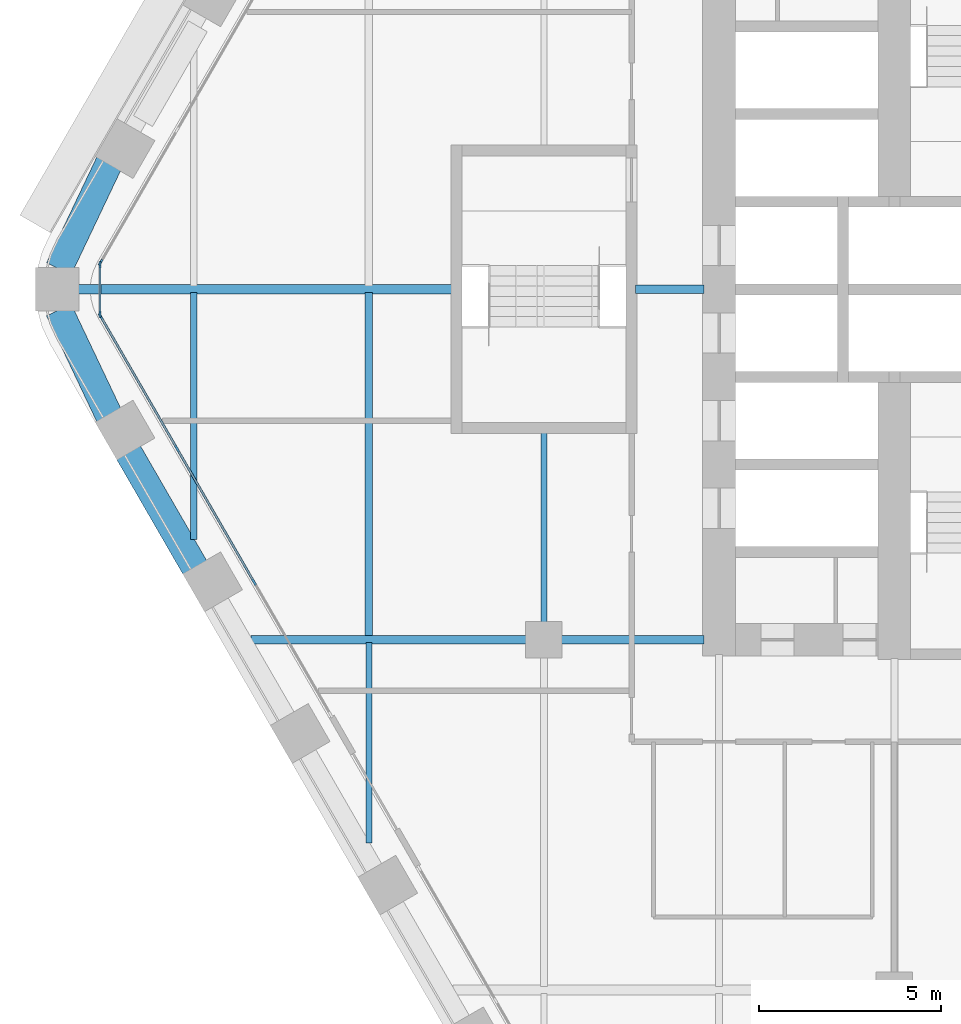
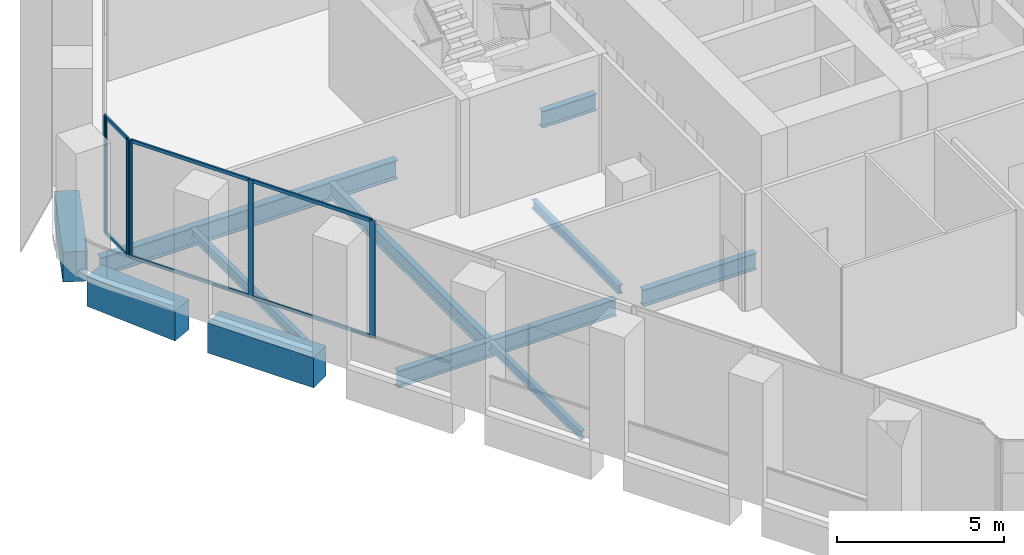
# One storey, part 3 of 22: 12 members, 11 beams, 3 elements without a shape of their own.
"""IFC4 building model written with IfcOpenShell, lengths in metres."""

from ifc_helpers import new_model, si_unit, direction, frame, origin, origin_2d, place, context, subcontext, project, spatial, rectangle, i_section, extrude, material, material_profile, profile_set, type_object, element, aggregate, save


model = new_model("IFC4")

# Units and contexts
model_context = context("Model", 3, precision=1e-05, world=origin(), true_north=direction((0.0, 1.0)))
body_context = subcontext(model_context, "Body", "Model", "MODEL_VIEW")
ifc_project = project(units=[si_unit("LENGTHUNIT", "METRE"), si_unit("AREAUNIT", "SQUARE_METRE"), si_unit("VOLUMEUNIT", "CUBIC_METRE"), si_unit("PLANEANGLEUNIT", "RADIAN"), si_unit("MASSUNIT", "GRAM", prefix="KILO")], contexts=[model_context])

# Site, building, storey
site_placement = place(None, origin())
site = spatial("IfcSite", under=ifc_project, at=site_placement, CompositionType="ELEMENT")
building_placement = place(site_placement, origin())
building = spatial("IfcBuilding", under=site, at=building_placement, Name="Kolab Exchange Tower", CompositionType="ELEMENT")
storey_placement = place(building_placement, frame((0.0, 0.0, 113.89990234375)))
storey = spatial("IfcBuildingStorey", under=building, at=storey_placement, Name="L22", CompositionType="ELEMENT", Elevation=113.89990234375)

# Beams
ifc_material_1 = material(Name="Steel S355", Category="steel")
ifc_material_profile_1 = material_profile(ifc_material_1, i_section(OverallWidth=0.1650390625, OverallDepth=0.31005859375, WebThickness=0.005859375, FlangeThickness=0.009765625, at=origin_2d()), Name="W310X39")
ifc_profile_set_1 = profile_set([ifc_material_profile_1], Name="Steel S355")
beam_type_1 = type_object("IfcBeamType", Name="FLOOR BEAM W310X39", PredefinedType="BEAM", material=ifc_profile_set_1)
beam_1_placement = place(storey_placement, frame((-24.0, -15.167724609375, -0.35498046875), z_axis=(0.0, 1.0, 0.0), x_axis=(-1.0, 0.0, 0.0)))
element("IfcBeam", 1, at=beam_1_placement, inside=storey, type_object=beam_type_1, Name="beam/L22/fr/002", PredefinedType="BEAM", context=body_context, shape_type="SweptSolid", body=[
    extrude(i_section(OverallWidth=0.1650390625, OverallDepth=0.31005859375, WebThickness=0.005859375, FlangeThickness=0.009765625, at=origin_2d()), origin(), (0.0, 0.0, 1.0), 5.49365234375),
])
beam_2_placement = place(storey_placement, frame((-19.199951171875, -9.139892578125, -0.35498046875), z_axis=(0.0, 1.0, 0.0), x_axis=(-1.0, 0.0, 0.0)))
element("IfcBeam", 2, at=beam_2_placement, inside=storey, type_object=beam_type_1, Name="beam/L22/fr/008", PredefinedType="BEAM", context=body_context, shape_type="SweptSolid", body=[
    extrude(i_section(OverallWidth=0.1650390625, OverallDepth=0.31005859375, WebThickness=0.005859375, FlangeThickness=0.009765625, at=origin_2d()), origin(), (0.0, 0.0, 1.0), 5.22998046875),
])
ifc_material_profile_2 = material_profile(ifc_material_1, i_section(OverallWidth=0.1708984375, OverallDepth=0.35498046875, WebThickness=0.007080078125, FlangeThickness=0.01171875, at=origin_2d()), Name="W360X51")
ifc_profile_set_2 = profile_set([ifc_material_profile_2], Name="Steel S355")
beam_type_2 = type_object("IfcBeamType", Name="FLOOR BEAM W360X51", PredefinedType="BEAM", material=ifc_profile_set_2)
beam_3_placement = place(storey_placement, frame((-28.800048828125, -6.853759765625, -0.37744140625), z_axis=(0.0, 1.0, 0.0), x_axis=(-1.0, 0.0, 0.0)))
element("IfcBeam", 3, at=beam_3_placement, inside=storey, type_object=beam_type_2, Name="beam/L22/fr/000", PredefinedType="BEAM", context=body_context, shape_type="SweptSolid", body=[
    extrude(i_section(OverallWidth=0.1708984375, OverallDepth=0.35498046875, WebThickness=0.007080078125, FlangeThickness=0.01171875, at=origin_2d()), origin(), (0.0, 0.0, 1.0), 6.766845703125),
])
ifc_material_profile_3 = material_profile(ifc_material_1, i_section(OverallWidth=0.208984375, OverallDepth=0.532958984375, WebThickness=0.01025390625, FlangeThickness=0.015625, at=origin_2d()), Name="W530X92")
ifc_profile_set_3 = profile_set([ifc_material_profile_3], Name="Steel S355")
beam_type_3 = type_object("IfcBeamType", Name="FLOOR BEAM W530X92", PredefinedType="BEAM", material=ifc_profile_set_3)
beam_4_placement = place(storey_placement, frame((-24.0, -9.52587890625, -0.46630859375), z_axis=(0.0, 1.0, 0.0), x_axis=(-1.0, 0.0, 0.0)))
element("IfcBeam", 4, at=beam_4_placement, inside=storey, type_object=beam_type_3, Name="beam/L22/fr/003", PredefinedType="BEAM", context=body_context, shape_type="SweptSolid", body=[
    extrude(i_section(OverallWidth=0.208984375, OverallDepth=0.532958984375, WebThickness=0.01025390625, FlangeThickness=0.015625, at=origin_2d()), origin(), (0.0, 0.0, 1.0), 9.43896484375),
])
ifc_material_profile_4 = material_profile(ifc_material_1, i_section(OverallWidth=0.22802734375, OverallDepth=0.60791015625, WebThickness=0.01123046875, FlangeThickness=0.017333984375, at=origin_2d()), Name="W610X113")
ifc_profile_set_4 = profile_set([ifc_material_profile_4], Name="Steel S355")
beam_type_4 = type_object("IfcBeamType", Name="FLOOR GIRDER W610X113", PredefinedType="BEAM", material=ifc_profile_set_4)
beam_5_placement = place(storey_placement, frame((-27.2314453125, -9.60009765625, -0.50390625), z_axis=(1.0, 0.0, 0.0), x_axis=(0.0, 1.0, 0.0)))
element("IfcBeam", 5, at=beam_5_placement, inside=storey, type_object=beam_type_4, Name="beam/L22/gd/001", PredefinedType="BEAM", context=body_context, shape_type="SweptSolid", body=[
    extrude(i_section(OverallWidth=0.22802734375, OverallDepth=0.60791015625, WebThickness=0.01123046875, FlangeThickness=0.017333984375, at=origin_2d()), origin(), (0.0, 0.0, 1.0), 7.571533203125),
])
beam_6_placement = place(storey_placement, frame((-18.739990234375, -9.60009765625, -0.50390625), z_axis=(1.0, 0.0, 0.0), x_axis=(0.0, 1.0, 0.0)))
element("IfcBeam", 6, at=beam_6_placement, inside=storey, type_object=beam_type_4, Name="beam/L22/gd/005", PredefinedType="BEAM", context=body_context, shape_type="SweptSolid", body=[
    extrude(i_section(OverallWidth=0.22802734375, OverallDepth=0.60791015625, WebThickness=0.01123046875, FlangeThickness=0.017333984375, at=origin_2d()), origin(), (0.0, 0.0, 1.0), 3.929931640625),
])
beam_7_placement = place(storey_placement, frame((-16.68994140625, 0.0, -0.50390625), z_axis=(1.0, 0.0, 0.0), x_axis=(0.0, 1.0, 0.0)))
element("IfcBeam", 7, at=beam_7_placement, inside=storey, type_object=beam_type_4, Name="beam/L22/gd/007", PredefinedType="BEAM", context=body_context, shape_type="SweptSolid", body=[
    extrude(i_section(OverallWidth=0.22802734375, OverallDepth=0.60791015625, WebThickness=0.01123046875, FlangeThickness=0.017333984375, at=origin_2d()), origin(), (0.0, 0.0, 1.0), 1.8798828125),
])
ifc_material_profile_5 = material_profile(ifc_material_1, i_section(OverallWidth=0.25390625, OverallDepth=0.68408203125, WebThickness=0.012451171875, FlangeThickness=0.018798828125, at=origin_2d()), Name="W690X140")
ifc_profile_set_5 = profile_set([ifc_material_profile_5], Name="Steel S355")
beam_type_5 = type_object("IfcBeamType", Name="FLOOR GIRDER W690X140", PredefinedType="BEAM", material=ifc_profile_set_5)
beam_8_placement = place(storey_placement, frame((-31.975830078125, 0.0, -0.5419921875), z_axis=(1.0, 0.0, 0.0), x_axis=(0.0, 1.0, 0.0)))
element("IfcBeam", 8, at=beam_8_placement, inside=storey, type_object=beam_type_5, Name="beam/L22/gd/000", PredefinedType="BEAM", context=body_context, shape_type="SweptSolid", body=[
    extrude(i_section(OverallWidth=0.25390625, OverallDepth=0.68408203125, WebThickness=0.012451171875, FlangeThickness=0.018798828125, at=origin_2d()), origin(), (0.0, 0.0, 1.0), 10.265869140625),
])
ifc_material_2 = material(Name="Concrete C70/85", Category="concrete")
ifc_material_profile_6 = material_profile(ifc_material_2, rectangle(XDim=0.75, YDim=1.10009765625, at=origin_2d()), Name="RC750X1100")
ifc_profile_set_6 = profile_set([ifc_material_profile_6], Name="Concrete C70/85")
beam_type_6 = type_object("IfcBeamType", Name="SPANDREL BEAM 750X1100 C70/85", PredefinedType="BEAM", material=ifc_profile_set_6)
beam_9_placement = place(storey_placement, frame((-28.755126953125, -7.641357421875, -0.75), z_axis=(-0.500013413428, 0.866017659399, 0.0), x_axis=(-0.866017659399, -0.500013413428, 0.0)))
element("IfcBeam", 9, at=beam_9_placement, inside=storey, type_object=beam_type_6, Name="beam/L22/sp/F5-06", PredefinedType="BEAM", context=body_context, shape_type="SweptSolid", body=[
    extrude(rectangle(XDim=0.75, YDim=1.10009765625, at=origin_2d()), origin(), (0.0, 0.0, 1.0), 3.68017578125),
])
for number, where, z_axis, x_axis, name in (
    (10, (-31.116455078125, -3.4619140625, -0.75), (-0.429041292193, 0.903284877319, 0.0), (-0.903284877319, -0.429041292193, 0.0), "beam/L22/sp/F5-07"),
    (11, (-32.492919921875, 0.56396484375, -0.75), (0.429041292193, 0.903284877319, 0.0), (-0.903284877319, 0.429041292193, 0.0), "beam/L22/sp/F6-01"),
):
    element("IfcBeam", number, at=place(storey_placement, frame(where, z_axis=z_axis, x_axis=x_axis)), inside=storey, type_object=beam_type_6, Name=name, PredefinedType="BEAM", context=body_context, shape_type="SweptSolid", body=[
        extrude(rectangle(XDim=0.75, YDim=1.10009765625, at=origin_2d()), origin(), (0.0, 0.0, 1.0), 3.208251953125),
    ])

# Curtain wall, members
ifc_material_3 = material(Name="Aluminium EN AW-6063 T6", Category="aluminium")
curtain_wall_type = type_object("IfcCurtainWallType", Name="UNITISED LOWER MID ZONE CURTAIN WALL", PredefinedType="NOTDEFINED", material=ifc_material_3)
curtain_wall_1_placement = place(storey_placement, origin())
curtain_wall_1 = element("IfcCurtainWall", 12, at=curtain_wall_1_placement, inside=storey, type_object=curtain_wall_type, Name="cw/L22/F5-2", PredefinedType="NOTDEFINED")
ifc_material_profile_7 = material_profile(ifc_material_3, rectangle(XDim=0.06005859375, YDim=0.179931640625, at=origin_2d()), Name="RECT 60X180")
ifc_profile_set_7 = profile_set([ifc_material_profile_7], Name="Aluminium EN AW-6063 T6")
member_type_1 = type_object("IfcMemberType", Name="UNITISED LOWER MID ZONE MULLION 60 X 180", PredefinedType="MULLION", material=ifc_profile_set_7)
member_1_placement = place(storey_placement, frame((-27.14306640625, -8.02392578125, 0.0), z_axis=(0.0, 0.0, 1.0), x_axis=(-0.866025427826, -0.499999958358, 0.0)))
member_1 = element("IfcMember", 13, at=member_1_placement, type_object=member_type_1, Name="CW2 mullion 2", PredefinedType="MULLION", context=body_context, shape_type="SweptSolid", body=[
    extrude(rectangle(XDim=0.06005859375, YDim=0.179931640625, at=origin_2d()), origin(), (0.0, 0.0, 1.0), 4.300048828125),
])
member_2_placement = place(storey_placement, frame((-29.25439453125, -4.366943359375, 0.0), z_axis=(0.0, 0.0, 1.0), x_axis=(-0.866025427826, -0.499999958358, 0.0)))
member_2 = element("IfcMember", 14, at=member_2_placement, type_object=member_type_1, Name="CW2 mullion 3", PredefinedType="MULLION", context=body_context, shape_type="SweptSolid", body=[
    extrude(rectangle(XDim=0.06005859375, YDim=0.179931640625, at=origin_2d()), origin(), (0.0, 0.0, 1.0), 4.300048828125),
])
member_3_placement = place(storey_placement, frame((-31.3505859375, -0.736083984375, 0.0), z_axis=(0.0, 0.0, 1.0), x_axis=(-0.866025427826, -0.499999958358, 0.0)))
member_3 = element("IfcMember", 15, at=member_3_placement, type_object=member_type_1, Name="CW2 mullion 4", PredefinedType="MULLION", context=body_context, shape_type="SweptSolid", body=[
    extrude(rectangle(XDim=0.06005859375, YDim=0.179931640625, at=origin_2d()), origin(), (0.0, 0.0, 1.0), 4.300048828125),
])

# Curtain wall, member
curtain_wall_2_placement = place(storey_placement, origin())
curtain_wall_2 = element("IfcCurtainWall", 16, at=curtain_wall_2_placement, inside=storey, type_object=curtain_wall_type, Name="cw/L22/F6-1", PredefinedType="NOTDEFINED")
member_4_placement = place(storey_placement, frame((-31.3505859375, 0.736083984375, 0.0), z_axis=(0.0, 0.0, 1.0), x_axis=(-0.866025427826, 0.499999958358, 0.0)))
member_4 = element("IfcMember", 17, at=member_4_placement, type_object=member_type_1, Name="CW2 mullion 1", PredefinedType="MULLION", context=body_context, shape_type="SweptSolid", body=[
    extrude(rectangle(XDim=0.06005859375, YDim=0.179931640625, at=origin_2d()), origin(), (0.0, 0.0, 1.0), 4.300048828125),
])
aggregate(curtain_wall_2, [member_4])

# Curtain wall, members
curtain_wall_3_placement = place(storey_placement, origin())
curtain_wall_3 = element("IfcCurtainWall", 18, at=curtain_wall_3_placement, inside=storey, type_object=curtain_wall_type, Name="cw/L22/F5F6-corner", PredefinedType="NOTDEFINED")
member_5_placement = place(storey_placement, frame((-31.36572265625, -0.679931640625, 0.0), z_axis=(0.0, 0.0, 1.0), x_axis=(-1.0, 0.0, 0.0)))
member_5 = element("IfcMember", 19, at=member_5_placement, type_object=member_type_1, Name="CW2 mullion 1", PredefinedType="MULLION", context=body_context, shape_type="SweptSolid", body=[
    extrude(rectangle(XDim=0.06005859375, YDim=0.179931640625, at=origin_2d()), origin(), (0.0, 0.0, 1.0), 4.300048828125),
])
member_6_placement = place(storey_placement, frame((-31.36572265625, 0.679931640625, 0.0), z_axis=(0.0, 0.0, 1.0), x_axis=(-1.0, 0.0, 0.0)))
member_6 = element("IfcMember", 20, at=member_6_placement, type_object=member_type_1, Name="CW2 mullion 2", PredefinedType="MULLION", context=body_context, shape_type="SweptSolid", body=[
    extrude(rectangle(XDim=0.06005859375, YDim=0.179931640625, at=origin_2d()), origin(), (0.0, 0.0, 1.0), 4.300048828125),
])

# Member
ifc_material_profile_8 = material_profile(ifc_material_3, rectangle(XDim=0.06005859375, YDim=0.1201171875, at=origin_2d()), Name="RECT 60X120")
ifc_profile_set_8 = profile_set([ifc_material_profile_8], Name="Aluminium EN AW-6063 T6")
member_type_2 = type_object("IfcMemberType", Name="UNITISED LOWER MID ZONE TRANSOM 60 X 120", PredefinedType="USERDEFINED", material=ifc_profile_set_8)
member_7_placement = place(storey_placement, frame((-27.157958984375, -7.997802734375, 0.030029296875), z_axis=(-0.49999322259, 0.866029316688, 0.0), x_axis=(-0.866029316688, -0.49999322259, 0.0)))
member_7 = element("IfcMember", 21, at=member_7_placement, type_object=member_type_2, Name="CW2 transom 2.1", ObjectType="TRANSOM", PredefinedType="USERDEFINED", context=body_context, shape_type="SweptSolid", body=[
    extrude(rectangle(XDim=0.06005859375, YDim=0.1201171875, at=origin_2d()), origin(), (0.0, 0.0, 1.0), 4.16259765625),
])

member_8_placement = place(storey_placement, frame((-27.157958984375, -7.997802734375, 4.27001953125), z_axis=(-0.49999322259, 0.866029316688, 0.0), x_axis=(-0.866029316688, -0.49999322259, 0.0)))
member_8 = element("IfcMember", 22, at=member_8_placement, type_object=member_type_2, Name="CW2 transom 2.2", ObjectType="TRANSOM", PredefinedType="USERDEFINED", context=body_context, shape_type="SweptSolid", body=[
    extrude(rectangle(XDim=0.06005859375, YDim=0.1201171875, at=origin_2d()), origin(), (0.0, 0.0, 1.0), 4.16259765625),
])

member_9_placement = place(storey_placement, frame((-29.269287109375, -4.3408203125, 0.030029296875), z_axis=(-0.500027577057, 0.866009481578, 0.0), x_axis=(-0.866009481578, -0.500027577057, 0.0)))
member_9 = element("IfcMember", 23, at=member_9_placement, type_object=member_type_2, Name="CW2 transom 3.1", ObjectType="TRANSOM", PredefinedType="USERDEFINED", context=body_context, shape_type="SweptSolid", body=[
    extrude(rectangle(XDim=0.06005859375, YDim=0.1201171875, at=origin_2d()), origin(), (0.0, 0.0, 1.0), 4.132568359375),
])

member_10_placement = place(storey_placement, frame((-29.269287109375, -4.3408203125, 4.27001953125), z_axis=(-0.500027577057, 0.866009481578, 0.0), x_axis=(-0.866009481578, -0.500027577057, 0.0)))
member_10 = element("IfcMember", 24, at=member_10_placement, type_object=member_type_2, Name="CW2 transom 3.2", ObjectType="TRANSOM", PredefinedType="USERDEFINED", context=body_context, shape_type="SweptSolid", body=[
    extrude(rectangle(XDim=0.06005859375, YDim=0.1201171875, at=origin_2d()), origin(), (0.0, 0.0, 1.0), 4.132568359375),
])

aggregate(curtain_wall_1, [member_1, member_2, member_3, member_7, member_8, member_9, member_10])

member_11_placement = place(storey_placement, frame((-31.36572265625, -0.64990234375, 0.030029296875), z_axis=(0.0, 1.0, 0.0), x_axis=(-1.0, 0.0, 0.0)))
member_11 = element("IfcMember", 25, at=member_11_placement, type_object=member_type_2, Name="CW2 transom 1.1", ObjectType="TRANSOM", PredefinedType="USERDEFINED", context=body_context, shape_type="SweptSolid", body=[
    extrude(rectangle(XDim=0.06005859375, YDim=0.1201171875, at=origin_2d()), origin(), (0.0, 0.0, 1.0), 1.2998046875),
])

member_12_placement = place(storey_placement, frame((-31.36572265625, -0.64990234375, 4.27001953125), z_axis=(0.0, 1.0, 0.0), x_axis=(-1.0, 0.0, 0.0)))
member_12 = element("IfcMember", 26, at=member_12_placement, type_object=member_type_2, Name="CW2 transom 1.2", ObjectType="TRANSOM", PredefinedType="USERDEFINED", context=body_context, shape_type="SweptSolid", body=[
    extrude(rectangle(XDim=0.06005859375, YDim=0.1201171875, at=origin_2d()), origin(), (0.0, 0.0, 1.0), 1.2998046875),
])

aggregate(curtain_wall_3, [member_5, member_6, member_11, member_12])

save(model, "model.ifc")
